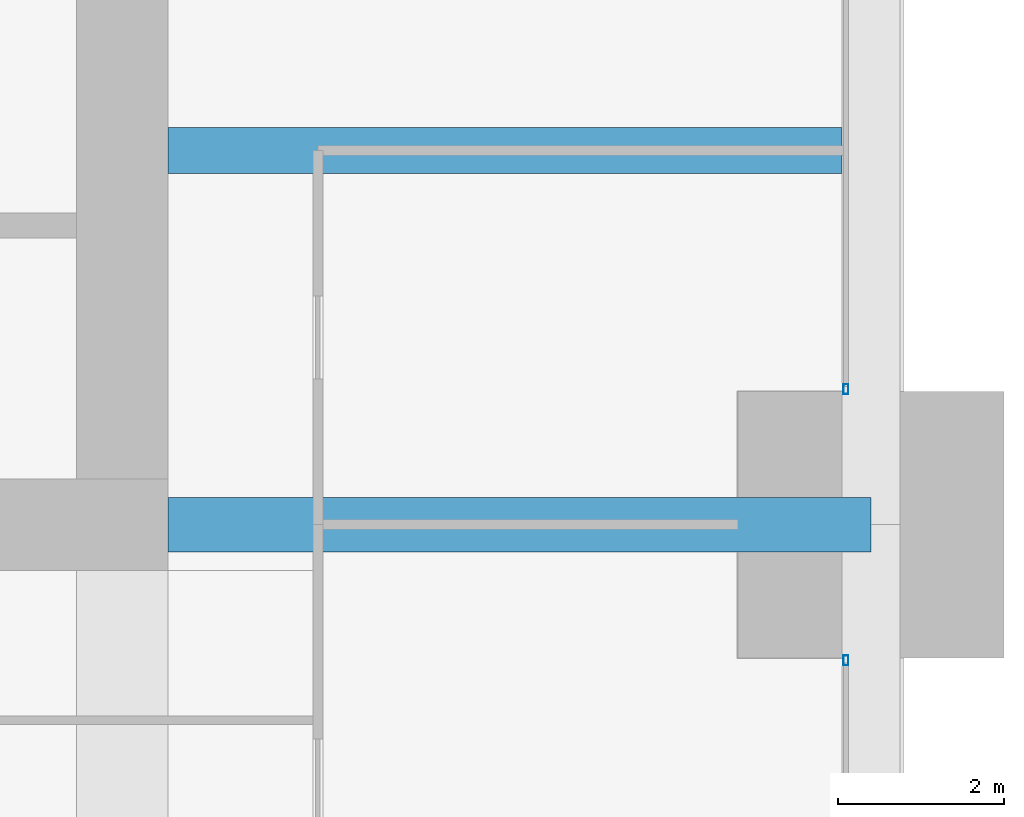
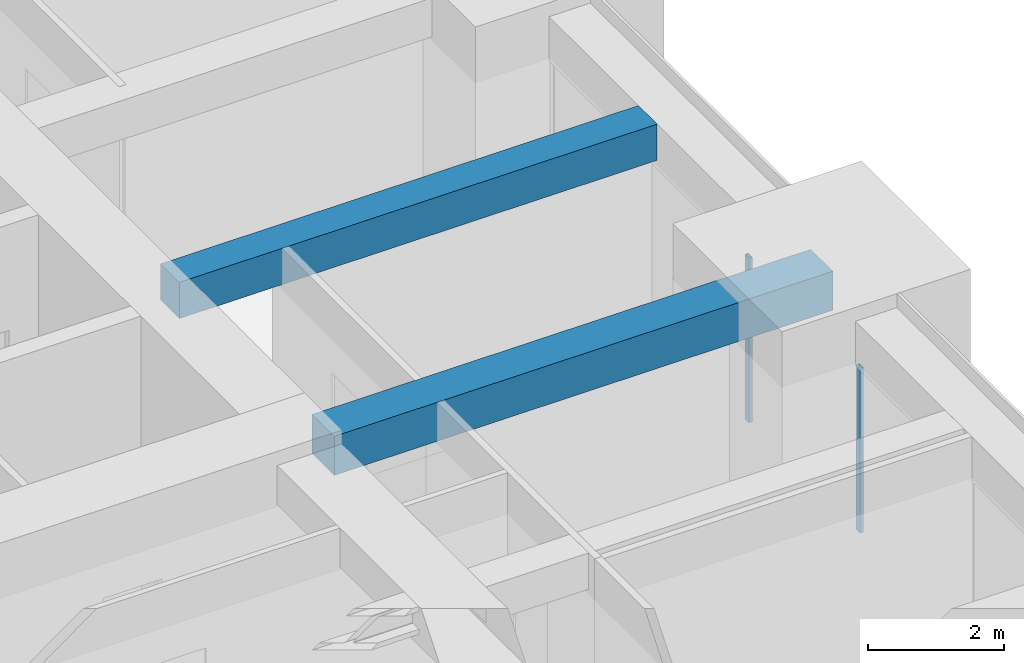
# One storey, part 23 of 43: 2 beams, 2 members, 2 elements without a shape of their own.
"""IFC4 building model written with IfcOpenShell, lengths in metres."""

from ifc_helpers import new_model, si_unit, direction, frame, origin, origin_2d, place, context, subcontext, project, spatial, rectangle, hollow_rectangle, extrude, material, material_profile, profile_set, type_object, element, aggregate, save


model = new_model("IFC4")

# Units and contexts
model_context = context("Model", 3, precision=1e-05, world=origin(), true_north=direction((0.0, 1.0)))
body_context = subcontext(model_context, "Body", "Model", "MODEL_VIEW")
ifc_project = project(units=[si_unit("LENGTHUNIT", "METRE"), si_unit("AREAUNIT", "SQUARE_METRE"), si_unit("VOLUMEUNIT", "CUBIC_METRE"), si_unit("PLANEANGLEUNIT", "RADIAN"), si_unit("MASSUNIT", "GRAM", prefix="KILO")], contexts=[model_context])

# Site, building, storey
site_placement = place(None, origin())
site = spatial("IfcSite", under=ifc_project, at=site_placement, CompositionType="ELEMENT")
building_placement = place(site_placement, origin())
building = spatial("IfcBuilding", under=site, at=building_placement, Name="Zorevar Civic Tower", CompositionType="ELEMENT")
storey_placement = place(building_placement, frame((0.0, 0.0, 243.39990234375)))
storey = spatial("IfcBuildingStorey", under=building, at=storey_placement, Name="L59", CompositionType="ELEMENT", Elevation=243.39990234375)

# Beams
ifc_material_1 = material(Name="Concrete C50/60", Category="concrete")
ifc_material_profile_1 = material_profile(ifc_material_1, rectangle(XDim=0.550048828125, YDim=0.64990234375, at=origin_2d()), Name="RC 550x650")
ifc_profile_set_1 = profile_set([ifc_material_profile_1], Name="Concrete C50/60")
beam_type_1 = type_object("IfcBeamType", Name="Beam RC 550x650", PredefinedType="BEAM", material=ifc_profile_set_1)
beam_1_placement = place(storey_placement, frame((45.550048828125, 22.5, 3.425048828125), z_axis=(1.0, 0.0, 0.0), x_axis=(0.0, 1.0, 0.0)))
element("IfcBeam", 1, at=beam_1_placement, inside=storey, type_object=beam_type_1, Name="Secondary beam L60", PredefinedType="BEAM", context=body_context, shape_type="SweptSolid", body=[
    extrude(rectangle(XDim=0.550048828125, YDim=0.64990234375, at=origin_2d()), origin(), (0.0, 0.0, 1.0), 8.099853515625),
])
ifc_material_2 = material(Name="Concrete C50/60", Category="concrete")
ifc_material_profile_2 = material_profile(ifc_material_2, rectangle(XDim=0.64990234375, YDim=0.699951171875, at=origin_2d()), Name="RC 650x700")
ifc_profile_set_2 = profile_set([ifc_material_profile_2], Name="Concrete C50/60")
beam_type_2 = type_object("IfcBeamType", Name="Beam RC 650x700", PredefinedType="BEAM", material=ifc_profile_set_2)
beam_2_placement = place(storey_placement, frame((45.550048828125, 18.0, 3.400146484375), z_axis=(1.0, 0.0, 0.0), x_axis=(0.0, 1.0, 0.0)))
element("IfcBeam", 2, at=beam_2_placement, inside=storey, type_object=beam_type_2, Name="Girder L60", PredefinedType="BEAM", context=body_context, shape_type="SweptSolid", body=[
    extrude(rectangle(XDim=0.64990234375, YDim=0.699951171875, at=origin_2d()), origin(), (0.0, 0.0, 1.0), 8.449951171875),
])

# Curtain wall, member
ifc_material_3 = material(Name="Dark grey solar-control glass in black aluminium frame", Category="aluminium")
curtain_wall_type = type_object("IfcCurtainWallType", Name="Curtain wall CW5 top zone", PredefinedType="NOTDEFINED", material=ifc_material_3)
curtain_wall_1_placement = place(storey_placement, origin())
curtain_wall_1 = element("IfcCurtainWall", 3, at=curtain_wall_1_placement, inside=storey, type_object=curtain_wall_type, Name="CW5 L59", PredefinedType="NOTDEFINED")
ifc_material_4 = material(Name="Aluminium, black anodised", Category="aluminium")
ifc_material_profile_3 = material_profile(ifc_material_4, hollow_rectangle(XDim=0.06005859375, YDim=0.1201171875, WallThickness=0.0029296875, at=origin_2d()), Name="AL 120x60x3")
ifc_profile_set_3 = profile_set([ifc_material_profile_3], Name="Aluminium, black anodised")
member_type = type_object("IfcMemberType", Name="CW5 mullion AL 120x60x3", PredefinedType="MULLION", material=ifc_profile_set_3)
member_1_placement = place(storey_placement, frame((53.699951171875, 16.3701171875, 0.0), z_axis=(0.0, 0.0, 1.0), x_axis=(-1.0, 0.0, 0.0)))
member_1 = element("IfcMember", 4, at=member_1_placement, type_object=member_type, Name="CW5 mullion 3", PredefinedType="MULLION", context=body_context, shape_type="SweptSolid", body=[
    extrude(hollow_rectangle(XDim=0.06005859375, YDim=0.1201171875, WallThickness=0.0029296875, at=origin_2d()), origin(), (0.0, 0.0, 1.0), 2.9501953125),
])
aggregate(curtain_wall_1, [member_1])

curtain_wall_2_placement = place(storey_placement, origin())
curtain_wall_2 = element("IfcCurtainWall", 5, at=curtain_wall_2_placement, inside=storey, type_object=curtain_wall_type, Name="CW5 L59", PredefinedType="NOTDEFINED")
member_2_placement = place(storey_placement, frame((53.699951171875, 19.6298828125, 0.0), z_axis=(0.0, 0.0, 1.0), x_axis=(-1.0, 0.0, 0.0)))
member_2 = element("IfcMember", 6, at=member_2_placement, type_object=member_type, Name="CW5 mullion 1", PredefinedType="MULLION", context=body_context, shape_type="SweptSolid", body=[
    extrude(hollow_rectangle(XDim=0.06005859375, YDim=0.1201171875, WallThickness=0.0029296875, at=origin_2d()), origin(), (0.0, 0.0, 1.0), 2.9501953125),
])
aggregate(curtain_wall_2, [member_2])

save(model, "model.ifc")
